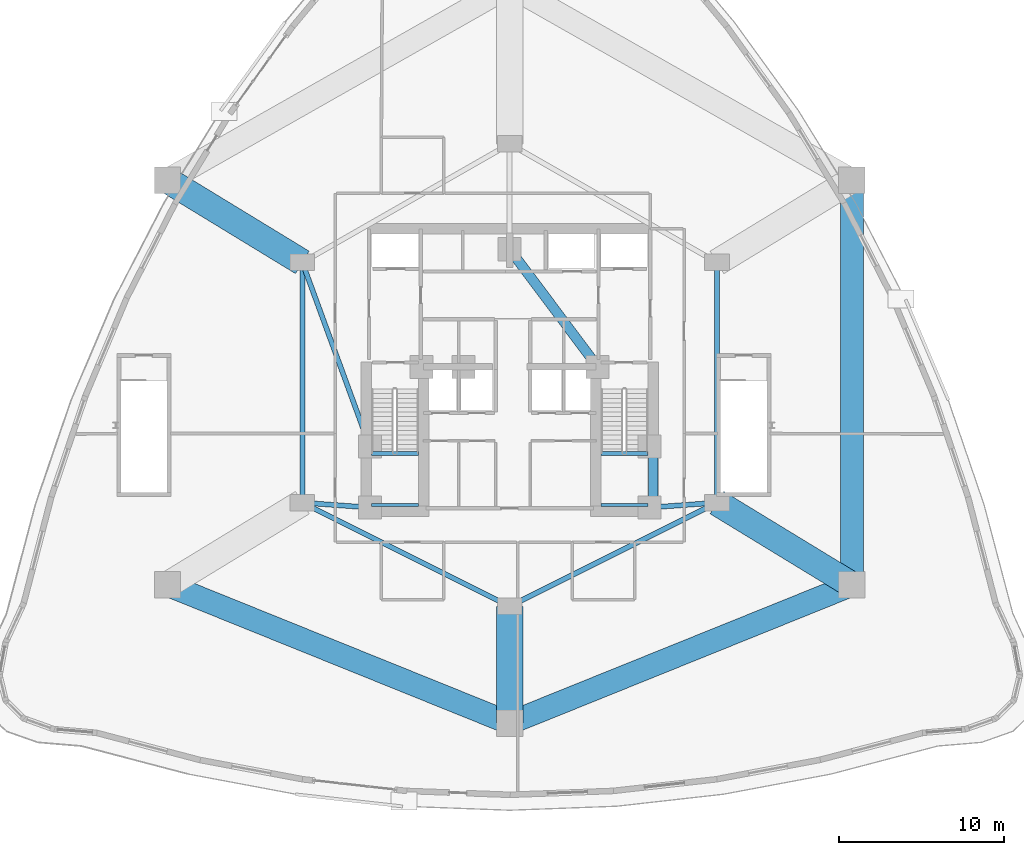
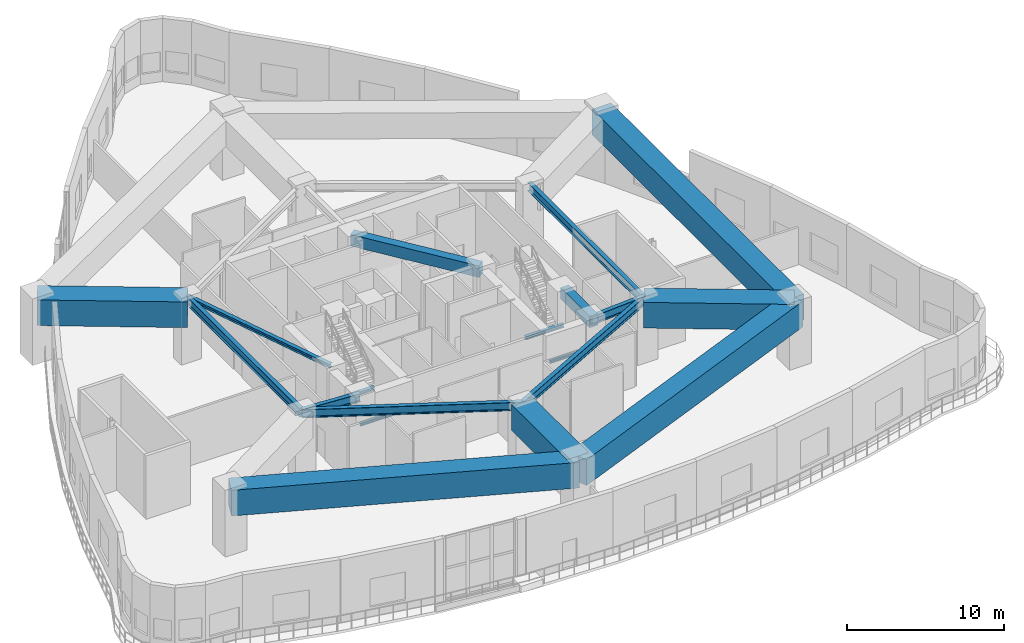
# One storey, part 5 of 19: 19 beams.
"""IFC4 building model written with IfcOpenShell, lengths in metres."""

from ifc_helpers import new_model, si_unit, direction, frame, origin, origin_2d, place, context, subcontext, project, spatial, rectangle, i_section, extrude, material, material_profile, profile_set, type_object, element, save


model = new_model("IFC4")

# Units and contexts
model_context = context("Model", 3, precision=1e-05, world=origin(), true_north=direction((0.0, 1.0)))
body_context = subcontext(model_context, "Body", "Model", "MODEL_VIEW")
ifc_project = project(units=[si_unit("LENGTHUNIT", "METRE"), si_unit("AREAUNIT", "SQUARE_METRE"), si_unit("VOLUMEUNIT", "CUBIC_METRE"), si_unit("PLANEANGLEUNIT", "RADIAN"), si_unit("MASSUNIT", "GRAM", prefix="KILO")], contexts=[model_context])

# Site, building, storey
site_placement = place(None, origin())
site = spatial("IfcSite", under=ifc_project, at=site_placement, CompositionType="ELEMENT")
building_placement = place(site_placement, origin())
building = spatial("IfcBuilding", under=site, at=building_placement, Name="Miruveldt Soraemaru", CompositionType="ELEMENT")
storey_placement = place(building_placement, frame((0.0, 0.0, 24.0)))
storey = spatial("IfcBuildingStorey", under=building, at=storey_placement, Name="L06", CompositionType="ELEMENT", Elevation=24.0)

# Beams
ifc_material_1 = material(Name="Steel SM355 (355 MPa)", Category="steel")
ifc_material_profile_1 = material_profile(ifc_material_1, i_section(OverallWidth=0.300048828125, OverallDepth=0.300048828125, WebThickness=0.010009765625, FlangeThickness=0.014892578125, FilletRadius=0.01806640625, at=origin_2d()), Name="Steel SM355 (355 MPa)", Category="steel")
ifc_profile_set_1 = profile_set([ifc_material_profile_1], Name="Steel SM355 (355 MPa)")
beam_type_1 = type_object("IfcBeamType", Name="BM-LNT-H300", PredefinedType="LINTEL", material=ifc_profile_set_1)
beam_1_placement = place(storey_placement, frame((31.39990234375, 50.39990234375, 4.77490234375), z_axis=(0.343770424598, -0.939053723262, 0.0), x_axis=(0.939053723262, 0.343770424598, 0.0)))
element("IfcBeam", 1, at=beam_1_placement, inside=storey, type_object=beam_type_1, Name="L06 West Lobby Lintel", PredefinedType="LINTEL", context=body_context, shape_type="SweptSolid", body=[
    extrude(i_section(OverallWidth=0.300048828125, OverallDepth=0.300048828125, WebThickness=0.010009765625, FlangeThickness=0.014892578125, FilletRadius=0.01806640625, at=origin_2d()), origin(), (0.0, 0.0, 1.0), 11.9267578125),
])
ifc_material_2 = material(Name="Concrete C60/75 (60 MPa)", Category="concrete")
ifc_material_profile_2 = material_profile(ifc_material_2, rectangle(XDim=0.60009765625, YDim=0.89990234375, at=origin_2d()), Name="Concrete C60/75 (60 MPa)", Category="concrete")
ifc_profile_set_2 = profile_set([ifc_material_profile_2], Name="Concrete C60/75 (60 MPa)")
beam_type_2 = type_object("IfcBeamType", Name="BM-RC-600x900", PredefinedType="BEAM", material=ifc_profile_set_2)
beam_2_placement = place(storey_placement, frame((52.72998046875, 35.5, 4.47509765625), z_axis=(0.0, 1.0, 0.0), x_axis=(-1.0, 0.0, 0.0)))
element("IfcBeam", 2, at=beam_2_placement, inside=storey, type_object=beam_type_2, Name="L06 Core Tie Beam 3", PredefinedType="BEAM", context=body_context, shape_type="SweptSolid", body=[
    extrude(rectangle(XDim=0.60009765625, YDim=0.89990234375, at=origin_2d()), origin(), (0.0, 0.0, 1.0), 3.699951171875),
])
beam_3_placement = place(storey_placement, frame((49.35009765625, 44.050048828125, 4.47509765625), z_axis=(-0.599116023999, 0.800662219533, 0.0), x_axis=(-0.800662219533, -0.599116023999, 0.0)))
element("IfcBeam", 3, at=beam_3_placement, inside=storey, type_object=beam_type_2, Name="L06 Core Tie Beam 5", PredefinedType="BEAM", context=body_context, shape_type="SweptSolid", body=[
    extrude(rectangle(XDim=0.60009765625, YDim=0.89990234375, at=origin_2d()), origin(), (0.0, 0.0, 1.0), 8.929931640625),
])
ifc_material_profile_3 = material_profile(ifc_material_1, i_section(OverallWidth=0.300048828125, OverallDepth=0.64990234375, WebThickness=0.012939453125, FlangeThickness=0.02197265625, FilletRadius=0.02587890625, at=origin_2d()), Name="Steel SM355 (355 MPa)", Category="steel")
ifc_profile_set_3 = profile_set([ifc_material_profile_3], Name="Steel SM355 (355 MPa)")
beam_type_3 = type_object("IfcBeamType", Name="BM-ST-H650", PredefinedType="BEAM", material=ifc_profile_set_3)
beam_4_placement = place(storey_placement, frame((56.60009765625, 50.39990234375, 4.60009765625), z_axis=(0.0, -1.0, 0.0), x_axis=(1.0, 0.0, 0.0)))
element("IfcBeam", 4, at=beam_4_placement, inside=storey, type_object=beam_type_3, Name="L06 Inner Ring Girder 2", PredefinedType="BEAM", context=body_context, shape_type="SweptSolid", body=[
    extrude(i_section(OverallWidth=0.300048828125, OverallDepth=0.64990234375, WebThickness=0.012939453125, FlangeThickness=0.02197265625, FilletRadius=0.02587890625, at=origin_2d()), origin(), (0.0, 0.0, 1.0), 14.599853515625),
])
beam_5_placement = place(storey_placement, frame((56.60009765625, 35.800048828125, 4.60009765625), z_axis=(-0.894427191, -0.4472135955, 0.0), x_axis=(0.4472135955, -0.894427191, 0.0)))
element("IfcBeam", 5, at=beam_5_placement, inside=storey, type_object=beam_type_3, Name="L06 Inner Ring Girder 3", PredefinedType="BEAM", context=body_context, shape_type="SweptSolid", body=[
    extrude(i_section(OverallWidth=0.300048828125, OverallDepth=0.64990234375, WebThickness=0.012939453125, FlangeThickness=0.02197265625, FilletRadius=0.02587890625, at=origin_2d()), origin(), (0.0, 0.0, 1.0), 14.08740234375),
])
beam_6_placement = place(storey_placement, frame((52.5, 35.5, 4.60009765625), z_axis=(0.997332985605, 0.072985723431, 0.0), x_axis=(-0.072985723431, 0.997332985605, 0.0)))
element("IfcBeam", 6, at=beam_6_placement, inside=storey, type_object=beam_type_3, Name="L06 Core-to-Inner Radial Girder 3", PredefinedType="BEAM", context=body_context, shape_type="SweptSolid", body=[
    extrude(i_section(OverallWidth=0.300048828125, OverallDepth=0.64990234375, WebThickness=0.012939453125, FlangeThickness=0.02197265625, FilletRadius=0.02587890625, at=origin_2d()), origin(), (0.0, 0.0, 1.0), 4.111083984375),
])
beam_7_placement = place(storey_placement, frame((44.0, 29.5, 4.60009765625), z_axis=(-0.894427191, 0.4472135955, 0.0), x_axis=(-0.4472135955, -0.894427191, 0.0)))
element("IfcBeam", 7, at=beam_7_placement, inside=storey, type_object=beam_type_3, Name="L06 Inner Ring Girder 4", PredefinedType="BEAM", context=body_context, shape_type="SweptSolid", body=[
    extrude(i_section(OverallWidth=0.300048828125, OverallDepth=0.64990234375, WebThickness=0.012939453125, FlangeThickness=0.02197265625, FilletRadius=0.02587890625, at=origin_2d()), origin(), (0.0, 0.0, 1.0), 14.08740234375),
])
beam_8_placement = place(storey_placement, frame((31.39990234375, 35.800048828125, 4.60009765625), z_axis=(0.0, 1.0, 0.0), x_axis=(-1.0, 0.0, 0.0)))
element("IfcBeam", 8, at=beam_8_placement, inside=storey, type_object=beam_type_3, Name="L06 Inner Ring Girder 5", PredefinedType="BEAM", context=body_context, shape_type="SweptSolid", body=[
    extrude(i_section(OverallWidth=0.300048828125, OverallDepth=0.64990234375, WebThickness=0.012939453125, FlangeThickness=0.02197265625, FilletRadius=0.02587890625, at=origin_2d()), origin(), (0.0, 0.0, 1.0), 14.599853515625),
])
beam_9_placement = place(storey_placement, frame((35.5, 35.5, 4.60009765625), z_axis=(-0.997332985605, 0.072985723431, 0.0), x_axis=(-0.072985723431, -0.997332985605, 0.0)))
element("IfcBeam", 9, at=beam_9_placement, inside=storey, type_object=beam_type_3, Name="L06 Core-to-Inner Radial Girder 5", PredefinedType="BEAM", context=body_context, shape_type="SweptSolid", body=[
    extrude(i_section(OverallWidth=0.300048828125, OverallDepth=0.64990234375, WebThickness=0.012939453125, FlangeThickness=0.02197265625, FilletRadius=0.02587890625, at=origin_2d()), origin(), (0.0, 0.0, 1.0), 4.111083984375),
])
ifc_material_profile_4 = material_profile(ifc_material_1, i_section(OverallWidth=0.199951171875, OverallDepth=0.199951171875, WebThickness=0.008056640625, FlangeThickness=0.011962890625, FilletRadius=0.012939453125, at=origin_2d()), Name="Steel SM355 (355 MPa)", Category="steel")
ifc_profile_set_4 = profile_set([ifc_material_profile_4], Name="Steel SM355 (355 MPa)")
beam_type_4 = type_object("IfcBeamType", Name="BM-ST-LND200", PredefinedType="BEAM", material=ifc_profile_set_4)
for number, where, z_axis, x_axis, name in (
    (10, (35.60009765625, 35.64990234375, 2.300048828125), (1.0, 0.0, 0.0), (0.0, 1.0, 0.0), "L06 ST1 Landing End Beam 1B"),
    (11, (49.550048828125, 35.64990234375, 2.300048828125), (1.0, 0.0, 0.0), (0.0, 1.0, 0.0), "L06 ST2 Landing End Beam 1B"),
):
    element("IfcBeam", number, at=place(storey_placement, frame(where, z_axis=z_axis, x_axis=x_axis)), inside=storey, type_object=beam_type_4, Name=name, PredefinedType="BEAM", context=body_context, shape_type="SweptSolid", body=[
        extrude(i_section(OverallWidth=0.199951171875, OverallDepth=0.199951171875, WebThickness=0.008056640625, FlangeThickness=0.011962890625, FilletRadius=0.012939453125, at=origin_2d()), origin(), (0.0, 0.0, 1.0), 2.849853515625),
    ])
ifc_material_profile_5 = material_profile(ifc_material_1, i_section(OverallWidth=0.25, OverallDepth=0.25, WebThickness=0.009033203125, FlangeThickness=0.013916015625, FilletRadius=0.01611328125, at=origin_2d()), Name="Steel SM355 (355 MPa)", Category="steel")
ifc_profile_set_5 = profile_set([ifc_material_profile_5], Name="Steel SM355 (355 MPa)")
beam_type_5 = type_object("IfcBeamType", Name="BM-ST-LND250", PredefinedType="BEAM", material=ifc_profile_set_5)
for number, where, z_axis, x_axis, name in (
    (12, (35.60009765625, 38.780029296875, 2.27490234375), (1.0, 0.0, 0.0), (0.0, 1.0, 0.0), "L06 ST1 Landing Support Beam 1A"),
    (13, (49.550048828125, 38.780029296875, 2.27490234375), (1.0, 0.0, 0.0), (0.0, 1.0, 0.0), "L06 ST2 Landing Support Beam 1A"),
):
    element("IfcBeam", number, at=place(storey_placement, frame(where, z_axis=z_axis, x_axis=x_axis)), inside=storey, type_object=beam_type_5, Name=name, PredefinedType="BEAM", context=body_context, shape_type="SweptSolid", body=[
        extrude(i_section(OverallWidth=0.25, OverallDepth=0.25, WebThickness=0.009033203125, FlangeThickness=0.013916015625, FilletRadius=0.01611328125, at=origin_2d()), origin(), (0.0, 0.0, 1.0), 2.849853515625),
    ])
ifc_material_3 = material(Name="Concrete C70/85 (70 MPa)", Category="concrete")
ifc_material_profile_6 = material_profile(ifc_material_3, rectangle(XDim=1.39990234375, YDim=2.0, at=origin_2d()), Name="Concrete C70/85 (70 MPa)", Category="concrete")
ifc_profile_set_6 = profile_set([ifc_material_profile_6], Name="Concrete C70/85 (70 MPa)")
beam_type_6 = type_object("IfcBeamType", Name="BM-TG-1400x2000", PredefinedType="USERDEFINED", material=ifc_profile_set_6)
beam_10_placement = place(storey_placement, frame((64.800048828125, 55.39990234375, 3.925048828125), z_axis=(0.0, -1.0, 0.0), x_axis=(1.0, 0.0, 0.0)))
element("IfcBeam", 14, at=beam_10_placement, inside=storey, type_object=beam_type_6, Name="L06 Podium Transfer Ring 2", ObjectType="TRANSFER GIRDER", PredefinedType="USERDEFINED", context=body_context, shape_type="SweptSolid", body=[
    extrude(rectangle(XDim=1.39990234375, YDim=2.0, at=origin_2d()), origin(), (0.0, 0.0, 1.0), 24.599853515625),
])
for number, where, z_axis, x_axis, name in (
    (15, (64.800048828125, 30.800048828125, 3.925048828125), (-0.927239874954, -0.374467908231, 0.0), (0.374467908231, -0.927239874954, 0.0), "L06 Podium Transfer Ring 3"),
    (16, (44.0, 22.39990234375, 3.925048828125), (-0.927239874954, 0.374467908231, 0.0), (-0.374467908231, -0.927239874954, 0.0), "L06 Podium Transfer Ring 4"),
):
    element("IfcBeam", number, at=place(storey_placement, frame(where, z_axis=z_axis, x_axis=x_axis)), inside=storey, type_object=beam_type_6, Name=name, ObjectType="TRANSFER GIRDER", PredefinedType="USERDEFINED", context=body_context, shape_type="SweptSolid", body=[
        extrude(rectangle(XDim=1.39990234375, YDim=2.0, at=origin_2d()), origin(), (0.0, 0.0, 1.0), 22.43212890625),
    ])
ifc_material_profile_7 = material_profile(ifc_material_3, rectangle(XDim=1.60009765625, YDim=2.0, at=origin_2d()), Name="Concrete C70/85 (70 MPa)", Category="concrete")
ifc_profile_set_7 = profile_set([ifc_material_profile_7], Name="Concrete C70/85 (70 MPa)")
beam_type_7 = type_object("IfcBeamType", Name="BM-TG-1600x2000", PredefinedType="USERDEFINED", material=ifc_profile_set_7)
beam_11_placement = place(storey_placement, frame((56.60009765625, 35.800048828125, 3.925048828125), z_axis=(0.853794797843, -0.520609684098, 0.0), x_axis=(0.520609684098, 0.853794797843, 0.0)))
element("IfcBeam", 17, at=beam_11_placement, inside=storey, type_object=beam_type_7, Name="L06 Continuous Radial Transfer Girder 3", ObjectType="TRANSFER GIRDER", PredefinedType="USERDEFINED", context=body_context, shape_type="SweptSolid", body=[
    extrude(rectangle(XDim=1.60009765625, YDim=2.0, at=origin_2d()), origin(), (0.0, 0.0, 1.0), 9.60400390625),
])
beam_12_placement = place(storey_placement, frame((44.0, 29.5, 3.925048828125), z_axis=(0.0, -1.0, 0.0), x_axis=(1.0, 0.0, 0.0)))
element("IfcBeam", 18, at=beam_12_placement, inside=storey, type_object=beam_type_7, Name="L06 Continuous Radial Transfer Girder 4", ObjectType="TRANSFER GIRDER", PredefinedType="USERDEFINED", context=body_context, shape_type="SweptSolid", body=[
    extrude(rectangle(XDim=1.60009765625, YDim=2.0, at=origin_2d()), origin(), (0.0, 0.0, 1.0), 7.10009765625),
])
beam_13_placement = place(storey_placement, frame((31.39990234375, 50.39990234375, 3.925048828125), z_axis=(-0.853794797843, 0.520609684098, 0.0), x_axis=(-0.520609684098, -0.853794797843, 0.0)))
element("IfcBeam", 19, at=beam_13_placement, inside=storey, type_object=beam_type_7, Name="L06 Continuous Radial Transfer Girder 6", ObjectType="TRANSFER GIRDER", PredefinedType="USERDEFINED", context=body_context, shape_type="SweptSolid", body=[
    extrude(rectangle(XDim=1.60009765625, YDim=2.0, at=origin_2d()), origin(), (0.0, 0.0, 1.0), 9.60400390625),
])

save(model, "model.ifc")
